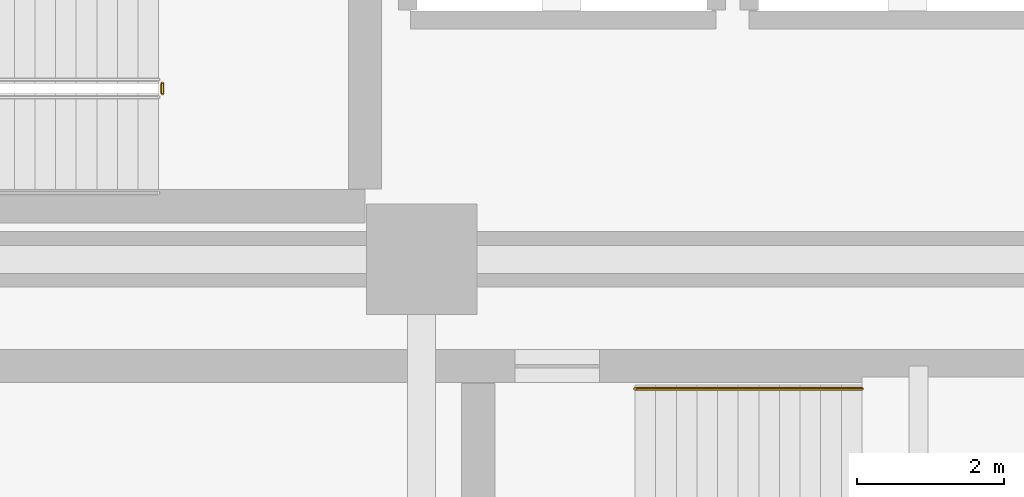
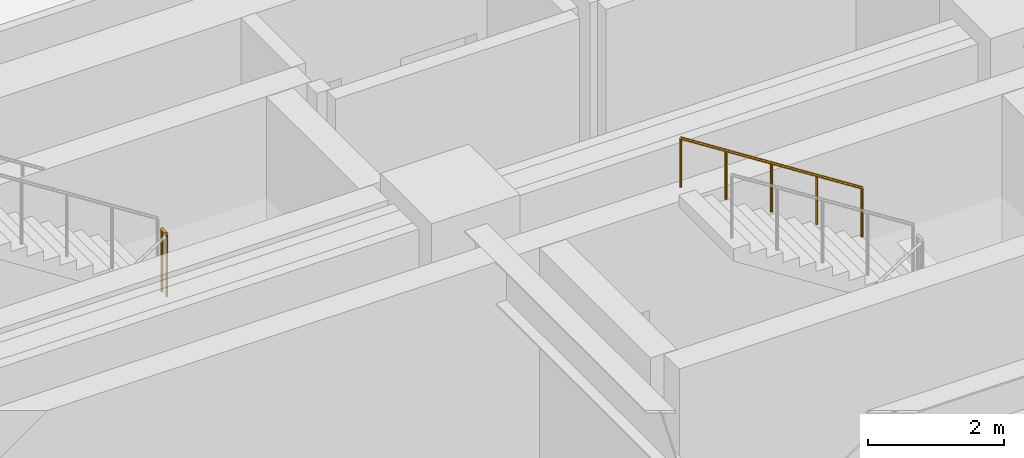
# One storey, part 23 of 31: 2 railings.
"""IFC4 building model written with IfcOpenShell, lengths in metres."""

from ifc_helpers import new_model, si_unit, direction, frame, origin, origin_2d, place, context, subcontext, project, spatial, circle, extrude, material, type_object, element, save


model = new_model("IFC4")

# Units and contexts
model_context = context("Model", 3, precision=1e-05, world=origin(), true_north=direction((0.0, 1.0)))
body_context = subcontext(model_context, "Body", "Model", "MODEL_VIEW")
ifc_project = project(units=[si_unit("LENGTHUNIT", "METRE"), si_unit("AREAUNIT", "SQUARE_METRE"), si_unit("VOLUMEUNIT", "CUBIC_METRE"), si_unit("PLANEANGLEUNIT", "RADIAN"), si_unit("MASSUNIT", "GRAM", prefix="KILO")], contexts=[model_context])

# Site, building, storey
site_placement = place(None, origin())
site = spatial("IfcSite", under=ifc_project, at=site_placement, CompositionType="ELEMENT")
building_placement = place(site_placement, origin())
building = spatial("IfcBuilding", under=site, at=building_placement, Name="Mirazonda Arch Towers", CompositionType="ELEMENT")
storey_placement = place(building_placement, frame((0.0, 0.0, 5.199951171875)))
storey = spatial("IfcBuildingStorey", under=building, at=storey_placement, Name="L01", CompositionType="ELEMENT", Elevation=5.199951171875)

# Railings
ifc_material = material(Name="Architectural Brushed Steel S355", Category="steel")
railing_type_1 = type_object("IfcRailingType", Name="GUARD-STAIR-1120", PredefinedType="GUARDRAIL", material=ifc_material)
railing_1_placement = place(storey_placement, frame((16.97998046875, 14.64990234375, 2.150146484375)))
element("IfcRailing", 1, at=railing_1_placement, inside=storey, type_object=railing_type_1, Name="L01 ST-T1S stair guard 2", PredefinedType="GUARDRAIL", context=body_context, shape_type="SweptSolid", body=[
    extrude(circle(Radius=0.02392578125, at=origin_2d()), frame((0.0, 0.0, 1.1259765625), z_axis=(0.0, 1.0, 0.0), x_axis=(-1.0, 0.0, 0.0)), (0.0, 0.0, 1.0), 0.14013671875),
    extrude(circle(Radius=0.02099609375, at=origin_2d()), origin(), (0.0, 0.0, 1.0), 1.101806640625),
    extrude(circle(Radius=0.02099609375, at=origin_2d()), frame((0.0, 0.14013671875, 0.0)), (0.0, 0.0, 1.0), 1.101806640625),
])
railing_type_2 = type_object("IfcRailingType", Name="HANDRAIL-915", PredefinedType="HANDRAIL", material=ifc_material)
railing_2_placement = place(storey_placement, frame((26.47998046875, 10.639892578125, 2.3291015625)))
element("IfcRailing", 2, at=railing_2_placement, inside=storey, type_object=railing_type_2, Name="L01 ST-POD1 stair handrail 2", PredefinedType="HANDRAIL", context=body_context, shape_type="SweptSolid", body=[
    extrude(circle(Radius=0.02392578125, at=origin_2d()), frame((0.0, 0.0, 0.8759765625), z_axis=(-0.842308987159, 0.0, 0.53899496301), x_axis=(0.0, -1.0, 0.0)), (0.0, 0.0, 1.0), 3.65673828125),
    extrude(circle(Radius=0.02099609375, at=origin_2d()), origin(), (0.0, 0.0, 1.0), 0.851806640625),
    extrude(circle(Radius=0.02099609375, at=origin_2d()), frame((-0.77001953125, 0.0, 0.49267578125)), (0.0, 0.0, 1.0), 0.851806640625),
    extrude(circle(Radius=0.02099609375, at=origin_2d()), frame((-1.5400390625, 0.0, 0.9853515625)), (0.0, 0.0, 1.0), 0.851806640625),
    extrude(circle(Radius=0.02099609375, at=origin_2d()), frame((-2.31005859375, 0.0, 1.478271484375)), (0.0, 0.0, 1.0), 0.851806640625),
    extrude(circle(Radius=0.02099609375, at=origin_2d()), frame((-3.080078125, 0.0, 1.970947265625)), (0.0, 0.0, 1.0), 0.851806640625),
])

save(model, "model.ifc")
